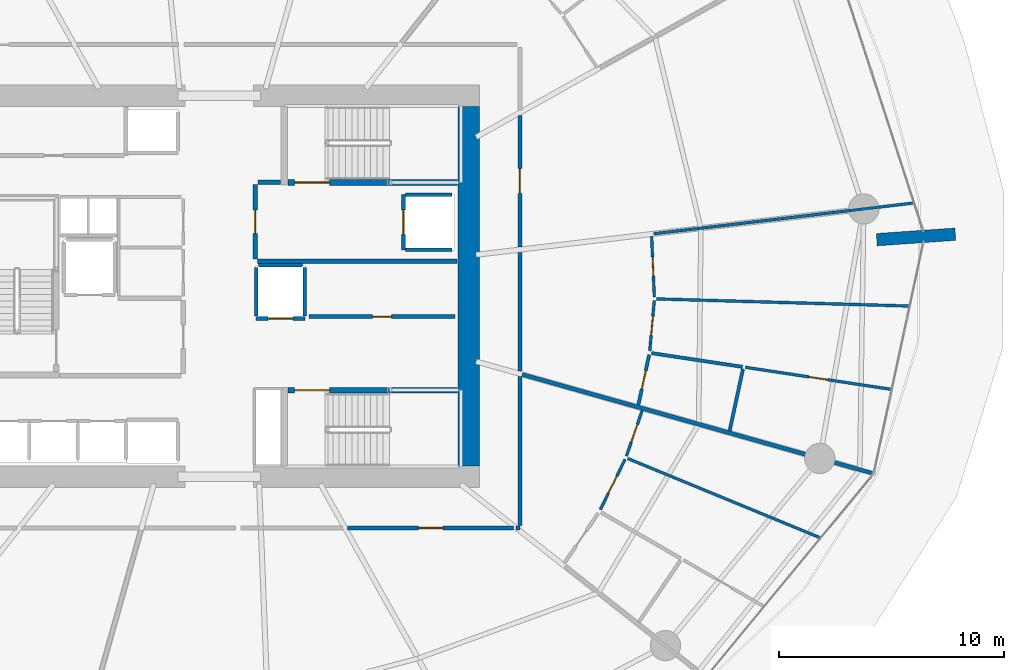
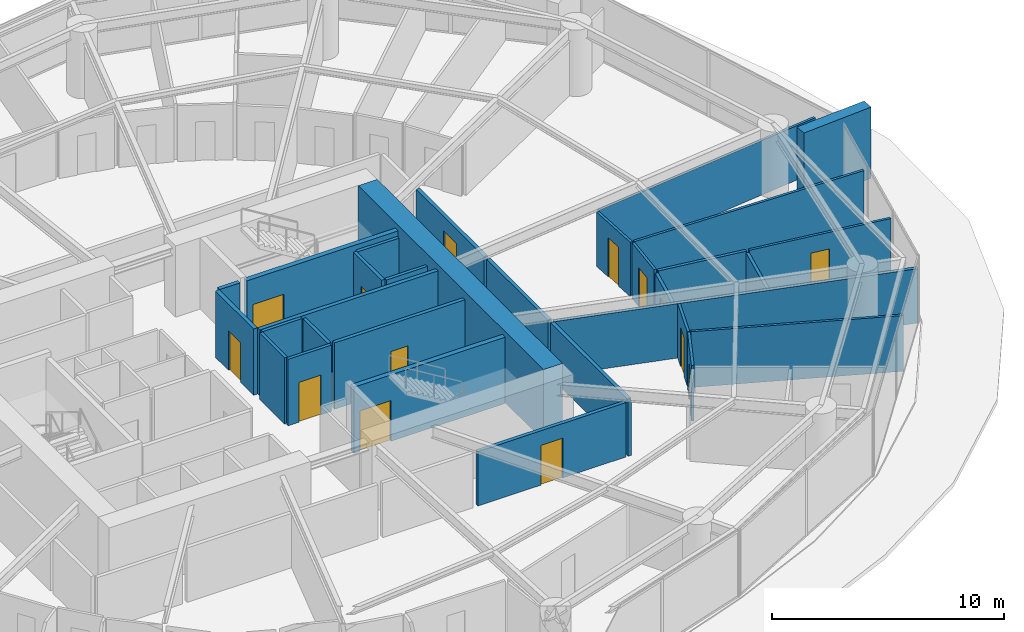
# One storey, part 19 of 22: 32 walls, 14 doors, 14 openings.
"""IFC4 building model written with IfcOpenShell, lengths in metres."""

from ifc_helpers import new_model, si_unit, direction, frame, frame_2d, origin, place, context, subcontext, project, spatial, rectangle, extrude, material, layer, layer_set, type_object, element, fill, save


model = new_model("IFC4")

# Units and contexts
model_context = context("Model", 3, precision=1e-05, world=origin(), true_north=direction((0.0, 1.0)))
body_context = subcontext(model_context, "Body", "Model", "MODEL_VIEW")
ifc_project = project(units=[si_unit("LENGTHUNIT", "METRE"), si_unit("AREAUNIT", "SQUARE_METRE"), si_unit("VOLUMEUNIT", "CUBIC_METRE"), si_unit("PLANEANGLEUNIT", "RADIAN"), si_unit("MASSUNIT", "GRAM", prefix="KILO")], contexts=[model_context])

# Site, building, storey
site_placement = place(None, origin())
site = spatial("IfcSite", under=ifc_project, at=site_placement, CompositionType="ELEMENT")
building_placement = place(site_placement, origin())
building = spatial("IfcBuilding", under=site, at=building_placement, Name="Kazma Halo Residences", CompositionType="ELEMENT")
storey_placement = place(building_placement, frame((0.0, 0.0, 26.39990234375)))
storey = spatial("IfcBuildingStorey", under=building, at=storey_placement, Name="L05", CompositionType="ELEMENT", Elevation=26.39990234375)

# Walls
ifc_material_1 = material(Name="Pale Concrete C60/75", Category="concrete")
ifc_layer_1 = layer(ifc_material_1, 0.550048828125)
ifc_layer_set_1 = layer_set([ifc_layer_1], Name="Pale Concrete C60/75")
wall_type_1 = type_object("IfcWallType", Name="WL-BLADE-550", PredefinedType="SOLIDWALL", material=ifc_layer_set_1)
wall_1_placement = place(storey_placement, frame((77.677978515625, 44.0751953125, 0.0), z_axis=(0.0, 0.0, 1.0), x_axis=(0.997564163539, 0.069754853754, 0.0)))
element("IfcWall", 1, at=wall_1_placement, inside=storey, type_object=wall_type_1, Name="L05 pale concrete structural blade fin wall BW-04", PredefinedType="SOLIDWALL", context=body_context, shape_type="SweptSolid", body=[
    extrude(rectangle(XDim=3.5, YDim=0.550048828125, at=frame_2d((1.75, 0.0))), origin(), (0.0, 0.0, 1.0), 3.75),
])
ifc_material_2 = material(Name="Concrete C80/95", Category="concrete")
ifc_layer_2 = layer(ifc_material_2, 0.949951171875)
ifc_layer_set_2 = layer_set([ifc_layer_2], Name="Concrete C80/95")
wall_type_2 = type_object("IfcWallType", Name="WL-CORE-950", PredefinedType="SHEAR", material=ifc_layer_set_2)
wall_2_placement = place(storey_placement, frame((59.52490234375, 34.0, 0.0), z_axis=(0.0, 0.0, 1.0), x_axis=(0.0, 1.0, 0.0)))
element("IfcWall", 2, at=wall_2_placement, inside=storey, type_object=wall_type_2, Name="L05 central core shear wall E", PredefinedType="SHEAR", context=body_context, shape_type="SweptSolid", body=[
    extrude(rectangle(XDim=16.0, YDim=0.949951171875, at=frame_2d((8.0, 0.0))), origin(), (0.0, 0.0, 1.0), 3.75),
])
ifc_material_3 = material(Name="Acoustic Twin-Stud Gypsum")
ifc_layer_3 = layer(ifc_material_3, 0.179931640625)
ifc_layer_set_3 = layer_set([ifc_layer_3], Name="Acoustic Twin-Stud Gypsum")
wall_type_3 = type_object("IfcWallType", Name="WL-DEM-180", PredefinedType="PARTITIONING", material=ifc_layer_set_3)
wall_3_placement = place(storey_placement, frame((61.906005859375, 38.078125, 0.0), z_axis=(0.0, 0.0, 1.0), x_axis=(0.962456328357, -0.271436578238, 0.0)))
element("IfcWall", 3, at=wall_3_placement, inside=storey, type_object=wall_type_3, Name="L05 apartment demising radial wall 14", PredefinedType="PARTITIONING", context=body_context, shape_type="SweptSolid", body=[
    extrude(rectangle(XDim=16.225830078125, YDim=0.179931640625, at=frame_2d((8.11279296875, 0.0))), origin(), (0.0, 0.0, 1.0), 2.8671875),
])

# Wall, opening, door
wall_4_placement = place(storey_placement, frame((54.140380859375, 31.25, 0.0), z_axis=(0.0, 0.0, 1.0), x_axis=(1.0, 0.0, 0.0)))
wall_4 = element("IfcWall", 4, at=wall_4_placement, inside=storey, type_object=wall_type_3, Name="L05 Apartment 3 entrance corridor wall", PredefinedType="PARTITIONING", context=body_context, shape_type="SweptSolid", body=[
    extrude(rectangle(XDim=7.3759765625, YDim=0.179931640625, at=frame_2d((3.68798828125, 0.0))), origin(), (0.0, 0.0, 1.0), 2.8671875),
])
opening_1_placement = place(wall_4_placement, frame((3.137939453125, 0.0, 0.0)))
opening_1 = element("IfcOpeningElement", 5, at=opening_1_placement, cuts=wall_4, Name="Opening DA-1100", PredefinedType="OPENING", context=body_context, shape_type="SweptSolid", body=[
    extrude(rectangle(XDim=1.10009765625, YDim=2.10009765625, at=frame_2d((0.550048828125, 1.050048828125))), frame((0.0, 0.099853515625, 0.0), z_axis=(0.0, -1.0, 0.0), x_axis=(1.0, 0.0, 0.0)), (0.0, 0.0, 1.0), 0.199951171875),
])
ifc_material_4 = material(Name="Acoustic Walnut Fire Leaf")
door_type_1 = type_object("IfcDoorType", Name="DR-FD60-1100", OperationType="NOTDEFINED", PredefinedType="DOOR", material=ifc_material_4)
door_1_placement = place(opening_1_placement, origin())
door_1 = element("IfcDoor", 6, at=door_1_placement, inside=storey, type_object=door_type_1, Name="L05 Apartment 3 entrance fire door", OperationType="SINGLE_SWING_LEFT", OverallHeight=2.10009765625, OverallWidth=1.10009765625, PredefinedType="DOOR", context=body_context, shape_type="SweptSolid", body=[
    extrude(rectangle(XDim=1.10009765625, YDim=2.10009765625, at=frame_2d((0.550048828125, 1.050048828125))), frame((0.0, 0.02490234375, 0.0), z_axis=(0.0, -1.0, 0.0), x_axis=(1.0, 0.0, 0.0)), (0.0, 0.0, 1.0), 0.050048828125),
])
fill(opening_1, door_1)

# Walls
wall_5_placement = place(storey_placement, frame((61.63623046875, 31.25, 0.0), z_axis=(0.0, 0.0, 1.0), x_axis=(1.0, 0.0, 0.0)))
element("IfcWall", 7, at=wall_5_placement, inside=storey, type_object=wall_type_3, Name="L05 Apartment 3 inner wall 13", PredefinedType="PARTITIONING", context=body_context, shape_type="SweptSolid", body=[
    extrude(rectangle(XDim=0.163818359375, YDim=0.179931640625, at=frame_2d((0.08203125, 0.0))), origin(), (0.0, 0.0, 1.0), 2.8671875),
])
wall_6_placement = place(storey_placement, frame((61.800048828125, 31.3701171875, 0.0), z_axis=(0.0, 0.0, 1.0), x_axis=(0.0, 1.0, 0.0)))
element("IfcWall", 8, at=wall_6_placement, inside=storey, type_object=wall_type_3, Name="L05 Apartment 3 inner wall 13", PredefinedType="PARTITIONING", context=body_context, shape_type="SweptSolid", body=[
    extrude(rectangle(XDim=6.617919921875, YDim=0.179931640625, at=frame_2d((3.30908203125, 0.0))), origin(), (0.0, 0.0, 1.0), 2.8671875),
])

# Wall, opening, door
wall_7_placement = place(storey_placement, frame((61.800048828125, 43.75341796875, 0.0), z_axis=(0.0, 0.0, 1.0), x_axis=(0.0, 1.0, 0.0)))
wall_7 = element("IfcWall", 9, at=wall_7_placement, inside=storey, type_object=wall_type_3, Name="L05 Apartment 4 entrance corridor wall", PredefinedType="PARTITIONING", context=body_context, shape_type="SweptSolid", body=[
    extrude(rectangle(XDim=5.85498046875, YDim=0.179931640625, at=frame_2d((2.927490234375, 0.0))), origin(), (0.0, 0.0, 1.0), 2.8671875),
])
opening_2_placement = place(wall_7_placement, frame((2.377685546875, 0.0, 0.0)))
opening_2 = element("IfcOpeningElement", 10, at=opening_2_placement, cuts=wall_7, Name="Opening DA-1100", PredefinedType="OPENING", context=body_context, shape_type="SweptSolid", body=[
    extrude(rectangle(XDim=1.10009765625, YDim=2.10009765625, at=frame_2d((0.550048828125, 1.050048828125))), frame((0.0, 0.099853515625, 0.0), z_axis=(0.0, -1.0, 0.0), x_axis=(1.0, 0.0, 0.0)), (0.0, 0.0, 1.0), 0.199951171875),
])
door_2_placement = place(opening_2_placement, origin())
door_2 = element("IfcDoor", 11, at=door_2_placement, inside=storey, type_object=door_type_1, Name="L05 Apartment 4 entrance fire door", OperationType="SINGLE_SWING_RIGHT", OverallHeight=2.10009765625, OverallWidth=1.10009765625, PredefinedType="DOOR", context=body_context, shape_type="SweptSolid", body=[
    extrude(rectangle(XDim=1.10009765625, YDim=2.10009765625, at=frame_2d((0.550048828125, 1.050048828125))), frame((0.0, 0.02490234375, 0.0), z_axis=(0.0, -1.0, 0.0), x_axis=(1.0, 0.0, 0.0)), (0.0, 0.0, 1.0), 0.050048828125),
])
fill(opening_2, door_2)

# Wall
wall_8_placement = place(storey_placement, frame((61.800048828125, 38.22802734375, 0.0), z_axis=(0.0, 0.0, 1.0), x_axis=(0.0, 1.0, 0.0)))
element("IfcWall", 12, at=wall_8_placement, inside=storey, type_object=wall_type_3, Name="L05 Apartment 4 inner wall 14", PredefinedType="PARTITIONING", context=body_context, shape_type="SweptSolid", body=[
    extrude(rectangle(XDim=5.28515625, YDim=0.179931640625, at=frame_2d((2.642578125, 0.0))), origin(), (0.0, 0.0, 1.0), 2.8671875),
])

# Wall, opening, door
ifc_material_5 = material(Name="Fire-Rated Blockwork Masonry", Category="masonry")
ifc_layer_4 = layer(ifc_material_5, 0.199951171875)
ifc_layer_set_4 = layer_set([ifc_layer_4], Name="Fire-Rated Blockwork Masonry")
wall_type_4 = type_object("IfcWallType", Name="WL-FLB-200", PredefinedType="PARTITIONING", material=ifc_layer_set_4)
wall_9_placement = place(storey_placement, frame((56.6201171875, 46.080078125, 0.0), z_axis=(0.0, 0.0, 1.0), x_axis=(0.0, -1.0, 0.0)))
wall_9 = element("IfcWall", 13, at=wall_9_placement, inside=storey, type_object=wall_type_4, Name="L05 lift shaft FL-02 front wall", PredefinedType="PARTITIONING", context=body_context, shape_type="SweptSolid", body=[
    extrude(rectangle(XDim=2.4599609375, YDim=0.159912109375, at=frame_2d((1.22998046875, 0.0))), origin(), (0.0, 0.0, 1.0), 3.5),
])
opening_3_placement = place(wall_9_placement, frame((0.679931640625, 0.0, 0.0)))
opening_3 = element("IfcOpeningElement", 14, at=opening_3_placement, cuts=wall_9, Name="Opening LD-FL-02", PredefinedType="OPENING", context=body_context, shape_type="SweptSolid", body=[
    extrude(rectangle(XDim=1.10009765625, YDim=2.10009765625, at=frame_2d((0.550048828125, 1.050048828125))), frame((0.0, 0.08984375, 0.0), z_axis=(0.0, -1.0, 0.0), x_axis=(1.0, 0.0, 0.0)), (0.0, 0.0, 1.0), 0.179931640625),
])
ifc_material_6 = material(Name="Stainless Steel Fire-Rated", Category="steel")
door_type_2 = type_object("IfcDoorType", Name="DR-LIFT-SLD-1100", OperationType="DOUBLE_DOOR_SLIDING", PredefinedType="DOOR", material=ifc_material_6)
door_3_placement = place(opening_3_placement, origin())
door_3 = element("IfcDoor", 15, at=door_3_placement, inside=storey, type_object=door_type_2, Name="L05 lift FL-02 sliding landing door", OperationType="DOUBLE_DOOR_SLIDING", OverallHeight=2.10009765625, OverallWidth=1.10009765625, PredefinedType="DOOR", context=body_context, shape_type="SweptSolid", body=[
    extrude(rectangle(XDim=1.10009765625, YDim=2.10009765625, at=frame_2d((0.550048828125, 1.050048828125))), frame((0.0, 0.02490234375, 0.0), z_axis=(0.0, -1.0, 0.0), x_axis=(1.0, 0.0, 0.0)), (0.0, 0.0, 1.0), 0.050048828125),
])
fill(opening_3, door_3)

# Walls
for number, where, z_axis, x_axis, name in (
    (16, (56.719970703125, 46.080078125, 0.0), (0.0, 0.0, 1.0), (1.0, 0.0, 0.0), "L05 lift shaft FL-02 side wall N"),
    (17, (56.719970703125, 43.6201171875, 0.0), (0.0, 0.0, 1.0), (1.0, 0.0, 0.0), "L05 lift shaft FL-02 side wall S"),
):
    element("IfcWall", number, at=place(storey_placement, frame(where, z_axis=z_axis, x_axis=x_axis)), inside=storey, type_object=wall_type_4, Name=name, PredefinedType="PARTITIONING", context=body_context, shape_type="SweptSolid", body=[
        extrude(rectangle(XDim=2.06005859375, YDim=0.159912109375, at=frame_2d((1.030029296875, 0.0))), origin(), (0.0, 0.0, 1.0), 3.5),
    ])

# Wall, opening, door
wall_10_placement = place(storey_placement, frame((52.22998046875, 40.570068359375, 0.0), z_axis=(0.0, 0.0, 1.0), x_axis=(-1.0, 0.0, 0.0)))
wall_10 = element("IfcWall", 18, at=wall_10_placement, inside=storey, type_object=wall_type_4, Name="L05 lift shaft SV-01 front wall", PredefinedType="PARTITIONING", context=body_context, shape_type="SweptSolid", body=[
    extrude(rectangle(XDim=2.159912109375, YDim=0.159912109375, at=frame_2d((1.080078125, 0.0))), origin(), (0.0, 0.0, 1.0), 3.5),
])
opening_4_placement = place(wall_10_placement, frame((0.530029296875, 0.0, 0.0)))
opening_4 = element("IfcOpeningElement", 19, at=opening_4_placement, cuts=wall_10, Name="Opening LD-SV-01", PredefinedType="OPENING", context=body_context, shape_type="SweptSolid", body=[
    extrude(rectangle(XDim=1.10009765625, YDim=2.10009765625, at=frame_2d((0.550048828125, 1.050048828125))), frame((0.0, 0.08984375, 0.0), z_axis=(0.0, -1.0, 0.0), x_axis=(1.0, 0.0, 0.0)), (0.0, 0.0, 1.0), 0.179931640625),
])
door_4_placement = place(opening_4_placement, origin())
door_4 = element("IfcDoor", 20, at=door_4_placement, inside=storey, type_object=door_type_2, Name="L05 lift SV-01 sliding landing door", OperationType="DOUBLE_DOOR_SLIDING", OverallHeight=2.10009765625, OverallWidth=1.10009765625, PredefinedType="DOOR", context=body_context, shape_type="SweptSolid", body=[
    extrude(rectangle(XDim=1.10009765625, YDim=2.10009765625, at=frame_2d((0.550048828125, 1.050048828125))), frame((0.0, 0.02490234375, 0.0), z_axis=(0.0, -1.0, 0.0), x_axis=(1.0, 0.0, 0.0)), (0.0, 0.0, 1.0), 0.050048828125),
])
fill(opening_4, door_4)

# Walls
for number, where, z_axis, x_axis, name in (
    (21, (52.22998046875, 40.669921875, 0.0), (0.0, 0.0, 1.0), (0.0, 1.0, 0.0), "L05 lift shaft SV-01 side wall E"),
    (22, (50.070068359375, 40.669921875, 0.0), (0.0, 0.0, 1.0), (0.0, 1.0, 0.0), "L05 lift shaft SV-01 side wall W"),
):
    element("IfcWall", number, at=place(storey_placement, frame(where, z_axis=z_axis, x_axis=x_axis)), inside=storey, type_object=wall_type_4, Name=name, PredefinedType="PARTITIONING", context=body_context, shape_type="SweptSolid", body=[
        extrude(rectangle(XDim=2.16015625, YDim=0.159912109375, at=frame_2d((1.080078125, 0.0))), origin(), (0.0, 0.0, 1.0), 3.5),
    ])
wall_11_placement = place(storey_placement, frame((50.169921875, 42.929931640625, 0.0), z_axis=(0.0, 0.0, 1.0), x_axis=(1.0, 0.0, 0.0)))
element("IfcWall", 23, at=wall_11_placement, inside=storey, type_object=wall_type_4, Name="L05 lift shaft SV-01 side wall N", PredefinedType="PARTITIONING", context=body_context, shape_type="SweptSolid", body=[
    extrude(rectangle(XDim=1.9599609375, YDim=0.159912109375, at=frame_2d((0.97998046875, 0.0))), origin(), (0.0, 0.0, 1.0), 3.5),
])

# Wall, opening, door
wall_12_placement = place(storey_placement, frame((52.419921875, 40.64990234375, 0.0), z_axis=(0.0, 0.0, 1.0), x_axis=(1.0, 0.0, 0.0)))
wall_12 = element("IfcWall", 24, at=wall_12_placement, inside=storey, type_object=wall_type_4, Name="L05 core east reserve wall", PredefinedType="PARTITIONING", context=body_context, shape_type="SweptSolid", body=[
    extrude(rectangle(XDim=6.5, YDim=0.179931640625, at=frame_2d((3.25, 0.0))), origin(), (0.0, 0.0, 1.0), 3.5),
])
opening_5_placement = place(wall_12_placement, frame((2.824951171875, 0.0, 0.0)))
opening_5 = element("IfcOpeningElement", 25, at=opening_5_placement, cuts=wall_12, Name="Opening DS-850", PredefinedType="OPENING", context=body_context, shape_type="SweptSolid", body=[
    extrude(rectangle(XDim=0.85009765625, YDim=2.06005859375, at=frame_2d((0.425048828125, 1.030029296875))), frame((0.0, 0.099853515625, 0.0), z_axis=(0.0, -1.0, 0.0), x_axis=(1.0, 0.0, 0.0)), (0.0, 0.0, 1.0), 0.199951171875),
])
ifc_material_7 = material(Name="Painted Steel Access Leaf", Category="steel")
door_type_3 = type_object("IfcDoorType", Name="DR-SVC-850", OperationType="NOTDEFINED", PredefinedType="DOOR", material=ifc_material_7)
door_5_placement = place(opening_5_placement, origin())
door_5 = element("IfcDoor", 26, at=door_5_placement, inside=storey, type_object=door_type_3, Name="L05 core east reserve door", OperationType="SINGLE_SWING_RIGHT", OverallHeight=2.06005859375, OverallWidth=0.85009765625, PredefinedType="DOOR", context=body_context, shape_type="SweptSolid", body=[
    extrude(rectangle(XDim=0.85009765625, YDim=2.06005859375, at=frame_2d((0.425048828125, 1.030029296875))), frame((0.0, 0.02490234375, 0.0), z_axis=(0.0, -1.0, 0.0), x_axis=(1.0, 0.0, 0.0)), (0.0, 0.0, 1.0), 0.050048828125),
])
fill(opening_5, door_5)

# Walls
wall_13_placement = place(storey_placement, frame((50.1201171875, 43.1201171875, 0.0), z_axis=(0.0, 0.0, 1.0), x_axis=(1.0, 0.0, 0.0)))
element("IfcWall", 27, at=wall_13_placement, inside=storey, type_object=wall_type_4, Name="L05 east firefighting lobby south smoke wall", PredefinedType="PARTITIONING", context=body_context, shape_type="SweptSolid", body=[
    extrude(rectangle(XDim=8.8798828125, YDim=0.199951171875, at=frame_2d((4.43994140625, 0.0))), origin(), (0.0, 0.0, 1.0), 3.5),
])
wall_14_placement = place(storey_placement, frame((50.139892578125, 46.6201171875, 0.0), z_axis=(0.0, 0.0, 1.0), x_axis=(1.0, 0.0, 0.0)))
element("IfcWall", 28, at=wall_14_placement, inside=storey, type_object=wall_type_4, Name="L05 east firefighting lobby north closure wall", PredefinedType="PARTITIONING", context=body_context, shape_type="SweptSolid", body=[
    extrude(rectangle(XDim=1.02001953125, YDim=0.199951171875, at=frame_2d((0.510009765625, 0.0))), origin(), (0.0, 0.0, 1.0), 3.5),
])

# Wall, opening, door
wall_15_placement = place(storey_placement, frame((50.02001953125, 43.219970703125, 0.0), z_axis=(0.0, 0.0, 1.0), x_axis=(0.0, 1.0, 0.0)))
wall_15 = element("IfcWall", 29, at=wall_15_placement, inside=storey, type_object=wall_type_4, Name="L05 east firefighting lobby smoke wall", PredefinedType="PARTITIONING", context=body_context, shape_type="SweptSolid", body=[
    extrude(rectangle(XDim=3.300048828125, YDim=0.199951171875, at=frame_2d((1.64990234375, 0.0))), origin(), (0.0, 0.0, 1.0), 3.5),
])
opening_6_placement = place(wall_15_placement, frame((1.125, 0.0, 0.0)))
opening_6 = element("IfcOpeningElement", 30, at=opening_6_placement, cuts=wall_15, Name="Opening D-FLE", PredefinedType="OPENING", context=body_context, shape_type="SweptSolid", body=[
    extrude(rectangle(XDim=1.050048828125, YDim=2.10009765625, at=frame_2d((0.52490234375, 1.050048828125))), frame((0.0, 0.10986328125, 0.0), z_axis=(0.0, -1.0, 0.0), x_axis=(1.0, 0.0, 0.0)), (0.0, 0.0, 1.0), 0.219970703125),
])
ifc_material_8 = material(Name="Fire-Rated Steel Leaf", Category="steel")
door_type_4 = type_object("IfcDoorType", Name="DR-FD90-1050", OperationType="NOTDEFINED", PredefinedType="DOOR", material=ifc_material_8)
door_6_placement = place(opening_6_placement, origin())
door_6 = element("IfcDoor", 31, at=door_6_placement, inside=storey, type_object=door_type_4, Name="L05 east firefighting lobby smoke door", OperationType="SINGLE_SWING_LEFT", OverallHeight=2.10009765625, OverallWidth=1.050048828125, PredefinedType="DOOR", context=body_context, shape_type="SweptSolid", body=[
    extrude(rectangle(XDim=1.050048828125, YDim=2.10009765625, at=frame_2d((0.52490234375, 1.050048828125))), frame((0.0, 0.02490234375, 0.0), z_axis=(0.0, -1.0, 0.0), x_axis=(1.0, 0.0, 0.0)), (0.0, 0.0, 1.0), 0.050048828125),
])
fill(opening_6, door_6)

# Wall
ifc_material_9 = material(Name="Gypsum Plasterboard Partition")
ifc_layer_5 = layer(ifc_material_9, 0.125)
ifc_layer_set_5 = layer_set([ifc_layer_5], Name="Gypsum Plasterboard Partition")
wall_type_5 = type_object("IfcWallType", Name="WL-PART-125", PredefinedType="PARTITIONING", material=ifc_layer_set_5)
wall_16_placement = place(storey_placement, frame((66.59765625, 34.3408203125, 0.0), z_axis=(0.0, 0.0, 1.0), x_axis=(0.924661718137, -0.380789583645, 0.0)))
element("IfcWall", 32, at=wall_16_placement, inside=storey, type_object=wall_type_5, Name="L05 Apartment 3 suite divider 13", PredefinedType="PARTITIONING", context=body_context, shape_type="SweptSolid", body=[
    extrude(rectangle(XDim=9.2607421875, YDim=0.125, at=frame_2d((4.63037109375, 0.0))), origin(), (0.0, 0.0, 1.0), 2.940185546875),
])

# Wall, opening, door
wall_17_placement = place(storey_placement, frame((65.37744140625, 32.064697265625, 0.0), z_axis=(0.0, 0.0, 1.0), x_axis=(0.441490145673, 0.897266098364, 0.0)))
wall_17 = element("IfcWall", 33, at=wall_17_placement, inside=storey, type_object=wall_type_5, Name="L05 Apartment 3 South Private Study hall wall", PredefinedType="PARTITIONING", context=body_context, shape_type="SweptSolid", body=[
    extrude(rectangle(XDim=2.4951171875, YDim=0.125, at=frame_2d((1.24755859375, 0.0))), origin(), (0.0, 0.0, 1.0), 2.940185546875),
])
opening_7_placement = place(wall_17_placement, frame((0.822509765625, 0.0, 0.0)))
opening_7 = element("IfcOpeningElement", 34, at=opening_7_placement, cuts=wall_17, Name="Opening DB-900", PredefinedType="OPENING", context=body_context, shape_type="SweptSolid", body=[
    extrude(rectangle(XDim=0.85009765625, YDim=2.06005859375, at=frame_2d((0.425048828125, 1.030029296875))), frame((0.0, 0.072509765625, 0.0), z_axis=(0.0, -1.0, 0.0), x_axis=(1.0, 0.0, 0.0)), (0.0, 0.0, 1.0), 0.14501953125),
])
ifc_material_10 = material(Name="Moisture-Sealed Timber Leaf", Category="wood")
door_type_5 = type_object("IfcDoorType", Name="DR-BTH-900", OperationType="NOTDEFINED", PredefinedType="DOOR", material=ifc_material_10)
door_7_placement = place(opening_7_placement, origin())
door_7 = element("IfcDoor", 35, at=door_7_placement, inside=storey, type_object=door_type_5, Name="L05 Apartment 3 South Private Study door", OperationType="SINGLE_SWING_LEFT", OverallHeight=2.06005859375, OverallWidth=0.85009765625, PredefinedType="DOOR", context=body_context, shape_type="SweptSolid", body=[
    extrude(rectangle(XDim=0.85009765625, YDim=2.06005859375, at=frame_2d((0.425048828125, 1.030029296875))), frame((0.0, 0.02490234375, 0.0), z_axis=(0.0, -1.0, 0.0), x_axis=(1.0, 0.0, 0.0)), (0.0, 0.0, 1.0), 0.050048828125),
])
fill(opening_7, door_7)

wall_18_placement = place(storey_placement, frame((66.54052734375, 34.45068359375, 0.0), z_axis=(0.0, 0.0, 1.0), x_axis=(0.326627883033, 0.945153017255, 0.0)))
wall_18 = element("IfcWall", 36, at=wall_18_placement, inside=storey, type_object=wall_type_5, Name="L05 Apartment 3 Inner Master Bedroom hall wall", PredefinedType="PARTITIONING", context=body_context, shape_type="SweptSolid", body=[
    extrude(rectangle(XDim=2.136962890625, YDim=0.125, at=frame_2d((1.068359375, 0.0))), origin(), (0.0, 0.0, 1.0), 2.8671875),
])
opening_8_placement = place(wall_18_placement, frame((0.643310546875, 0.0, 0.0)))
opening_8 = element("IfcOpeningElement", 37, at=opening_8_placement, cuts=wall_18, Name="Opening DB-900", PredefinedType="OPENING", context=body_context, shape_type="SweptSolid", body=[
    extrude(rectangle(XDim=0.85009765625, YDim=2.06005859375, at=frame_2d((0.425048828125, 1.030029296875))), frame((0.0, 0.072509765625, 0.0), z_axis=(0.0, -1.0, 0.0), x_axis=(1.0, 0.0, 0.0)), (0.0, 0.0, 1.0), 0.14501953125),
])
door_8_placement = place(opening_8_placement, origin())
door_8 = element("IfcDoor", 38, at=door_8_placement, inside=storey, type_object=door_type_5, Name="L05 Apartment 3 Inner Master Bedroom door", OperationType="SINGLE_SWING_RIGHT", OverallHeight=2.06005859375, OverallWidth=0.85009765625, PredefinedType="DOOR", context=body_context, shape_type="SweptSolid", body=[
    extrude(rectangle(XDim=0.85009765625, YDim=2.06005859375, at=frame_2d((0.425048828125, 1.030029296875))), frame((0.0, 0.02490234375, 0.0), z_axis=(0.0, -1.0, 0.0), x_axis=(1.0, 0.0, 0.0)), (0.0, 0.0, 1.0), 0.050048828125),
])
fill(opening_8, door_8)

# Wall
wall_19_placement = place(storey_placement, frame((67.755126953125, 44.338134765625, 0.0), z_axis=(0.0, 0.0, 1.0), x_axis=(0.993067500076, 0.117545481801, 0.0)))
element("IfcWall", 39, at=wall_19_placement, inside=storey, type_object=wall_type_5, Name="L05 Apartment 4 living radial partition 14", PredefinedType="PARTITIONING", context=body_context, shape_type="SweptSolid", body=[
    extrude(rectangle(XDim=11.645751953125, YDim=0.125, at=frame_2d((5.82275390625, 0.0))), origin(), (0.0, 0.0, 1.0), 2.8671875),
])

# Wall, opening, door
wall_20_placement = place(storey_placement, frame((71.832275390625, 38.397705078125, 0.0), z_axis=(0.0, 0.0, 1.0), x_axis=(0.988773501149, -0.149422098181, 0.0)))
wall_20 = element("IfcWall", 40, at=wall_20_placement, inside=storey, type_object=wall_type_5, Name="L05 Apartment 4 Household Store Room partition wall", PredefinedType="PARTITIONING", context=body_context, shape_type="SweptSolid", body=[
    extrude(rectangle(XDim=6.566650390625, YDim=0.125, at=frame_2d((3.283203125, 0.0))), origin(), (0.0, 0.0, 1.0), 2.940185546875),
])
opening_9_placement = place(wall_20_placement, frame((2.8583984375, 0.0, 0.0)))
opening_9 = element("IfcOpeningElement", 41, at=opening_9_placement, cuts=wall_20, Name="Opening DB-900", PredefinedType="OPENING", context=body_context, shape_type="SweptSolid", body=[
    extrude(rectangle(XDim=0.85009765625, YDim=2.06005859375, at=frame_2d((0.425048828125, 1.030029296875))), frame((0.0, 0.072509765625, 0.0), z_axis=(0.0, -1.0, 0.0), x_axis=(1.0, 0.0, 0.0)), (0.0, 0.0, 1.0), 0.14501953125),
])
door_9_placement = place(opening_9_placement, origin())
door_9 = element("IfcDoor", 42, at=door_9_placement, inside=storey, type_object=door_type_5, Name="L05 Apartment 4 Household Store Room door", OperationType="SINGLE_SWING_LEFT", OverallHeight=2.06005859375, OverallWidth=0.85009765625, PredefinedType="DOOR", context=body_context, shape_type="SweptSolid", body=[
    extrude(rectangle(XDim=0.85009765625, YDim=2.06005859375, at=frame_2d((0.425048828125, 1.030029296875))), frame((0.0, 0.02490234375, 0.0), z_axis=(0.0, -1.0, 0.0), x_axis=(1.0, 0.0, 0.0)), (0.0, 0.0, 1.0), 0.050048828125),
])
fill(opening_9, door_9)

# Wall
wall_21_placement = place(storey_placement, frame((67.875244140625, 41.440185546875, 0.0), z_axis=(0.0, 0.0, 1.0), x_axis=(0.999604383534, -0.028126080787, 0.0)))
element("IfcWall", 43, at=wall_21_placement, inside=storey, type_object=wall_type_5, Name="L05 Apartment 4 suite divider 14", PredefinedType="PARTITIONING", context=body_context, shape_type="SweptSolid", body=[
    extrude(rectangle(XDim=11.24951171875, YDim=0.125, at=frame_2d((5.624755859375, 0.0))), origin(), (0.0, 0.0, 1.0), 2.940185546875),
])

# Wall, opening, door
wall_22_placement = place(storey_placement, frame((67.57861328125, 39.131591796875, 0.0), z_axis=(0.0, 0.0, 1.0), x_axis=(0.089032328007, 0.996028736819, 0.0)))
wall_22 = element("IfcWall", 44, at=wall_22_placement, inside=storey, type_object=wall_type_5, Name="L05 Apartment 4 Gourmet Kitchen hall wall", PredefinedType="PARTITIONING", context=body_context, shape_type="SweptSolid", body=[
    extrude(rectangle(XDim=2.240234375, YDim=0.125, at=frame_2d((1.1201171875, 0.0))), origin(), (0.0, 0.0, 1.0), 2.940185546875),
])
opening_10_placement = place(wall_22_placement, frame((0.6953125, 0.0, 0.0)))
opening_10 = element("IfcOpeningElement", 45, at=opening_10_placement, cuts=wall_22, Name="Opening DB-900", PredefinedType="OPENING", context=body_context, shape_type="SweptSolid", body=[
    extrude(rectangle(XDim=0.85009765625, YDim=2.06005859375, at=frame_2d((0.425048828125, 1.030029296875))), frame((0.0, 0.072509765625, 0.0), z_axis=(0.0, -1.0, 0.0), x_axis=(1.0, 0.0, 0.0)), (0.0, 0.0, 1.0), 0.14501953125),
])
door_10_placement = place(opening_10_placement, origin())
door_10 = element("IfcDoor", 46, at=door_10_placement, inside=storey, type_object=door_type_5, Name="L05 Apartment 4 Gourmet Kitchen door", OperationType="SINGLE_SWING_RIGHT", OverallHeight=2.06005859375, OverallWidth=0.85009765625, PredefinedType="DOOR", context=body_context, shape_type="SweptSolid", body=[
    extrude(rectangle(XDim=0.85009765625, YDim=2.06005859375, at=frame_2d((0.425048828125, 1.030029296875))), frame((0.0, 0.02490234375, 0.0), z_axis=(0.0, -1.0, 0.0), x_axis=(1.0, 0.0, 0.0)), (0.0, 0.0, 1.0), 0.050048828125),
])
fill(opening_10, door_10)

wall_23_placement = place(storey_placement, frame((67.781494140625, 41.522705078125, 0.0), z_axis=(0.0, 0.0, 1.0), x_axis=(-0.044740706283, 0.998998633233, 0.0)))
wall_23 = element("IfcWall", 47, at=wall_23_placement, inside=storey, type_object=wall_type_5, Name="L05 Apartment 4 Master Bedroom hall wall", PredefinedType="PARTITIONING", context=body_context, shape_type="SweptSolid", body=[
    extrude(rectangle(XDim=2.70654296875, YDim=0.125, at=frame_2d((1.353271484375, 0.0))), origin(), (0.0, 0.0, 1.0), 2.8671875),
])
opening_11_placement = place(wall_23_placement, frame((0.92822265625, 0.0, 0.0)))
opening_11 = element("IfcOpeningElement", 48, at=opening_11_placement, cuts=wall_23, Name="Opening DB-900", PredefinedType="OPENING", context=body_context, shape_type="SweptSolid", body=[
    extrude(rectangle(XDim=0.85009765625, YDim=2.06005859375, at=frame_2d((0.425048828125, 1.030029296875))), frame((0.0, 0.072509765625, 0.0), z_axis=(0.0, -1.0, 0.0), x_axis=(1.0, 0.0, 0.0)), (0.0, 0.0, 1.0), 0.14501953125),
])
door_11_placement = place(opening_11_placement, origin())
door_11 = element("IfcDoor", 49, at=door_11_placement, inside=storey, type_object=door_type_5, Name="L05 Apartment 4 Master Bedroom door", OperationType="SINGLE_SWING_LEFT", OverallHeight=2.06005859375, OverallWidth=0.85009765625, PredefinedType="DOOR", context=body_context, shape_type="SweptSolid", body=[
    extrude(rectangle(XDim=0.85009765625, YDim=2.06005859375, at=frame_2d((0.425048828125, 1.030029296875))), frame((0.0, 0.02490234375, 0.0), z_axis=(0.0, -1.0, 0.0), x_axis=(1.0, 0.0, 0.0)), (0.0, 0.0, 1.0), 0.050048828125),
])
fill(opening_11, door_11)

ifc_material_11 = material(Name="Concrete C50/60", Category="concrete")
ifc_layer_6 = layer(ifc_material_11, 0.25)
ifc_layer_set_6 = layer_set([ifc_layer_6], Name="Concrete C50/60")
wall_type_6 = type_object("IfcWallType", Name="WL-SHF-250", PredefinedType="SOLIDWALL", material=ifc_layer_set_6)
wall_24_placement = place(storey_placement, frame((51.47998046875, 46.6201171875, 0.0), z_axis=(0.0, 0.0, 1.0), x_axis=(1.0, 0.0, 0.0)))
wall_24 = element("IfcWall", 50, at=wall_24_placement, inside=storey, type_object=wall_type_6, Name="L05 exit stair ST-02 enclosure wall", PredefinedType="SOLIDWALL", context=body_context, shape_type="SweptSolid", body=[
    extrude(rectangle(XDim=7.5400390625, YDim=0.25, at=frame_2d((3.77001953125, 0.0))), origin(), (0.0, 0.0, 1.0), 3.5),
])
opening_12_placement = place(wall_24_placement, frame((0.300048828125, 0.0, 0.0)))
opening_12 = element("IfcOpeningElement", 51, at=opening_12_placement, cuts=wall_24, Name="Opening D-ST2", PredefinedType="OPENING", context=body_context, shape_type="SweptSolid", body=[
    extrude(rectangle(XDim=1.550048828125, YDim=2.14990234375, at=frame_2d((0.77490234375, 1.074951171875))), frame((0.0, 0.135009765625, 0.0), z_axis=(0.0, -1.0, 0.0), x_axis=(1.0, 0.0, 0.0)), (0.0, 0.0, 1.0), 0.27001953125),
])
ifc_material_12 = material(Name="Fire-Rated Double Steel Leaf", Category="steel")
door_type_6 = type_object("IfcDoorType", Name="DR-FD90-1550", OperationType="NOTDEFINED", PredefinedType="DOOR", material=ifc_material_12)
door_12_placement = place(opening_12_placement, origin())
door_12 = element("IfcDoor", 52, at=door_12_placement, inside=storey, type_object=door_type_6, Name="L05 exit stair ST-02 fire door", OperationType="DOUBLE_DOOR_SINGLE_SWING", OverallHeight=2.14990234375, OverallWidth=1.550048828125, PredefinedType="DOOR", context=body_context, shape_type="SweptSolid", body=[
    extrude(rectangle(XDim=1.550048828125, YDim=2.14990234375, at=frame_2d((0.77490234375, 1.074951171875))), frame((0.0, 0.02490234375, 0.0), z_axis=(0.0, -1.0, 0.0), x_axis=(1.0, 0.0, 0.0)), (0.0, 0.0, 1.0), 0.050048828125),
])
fill(opening_12, door_12)

wall_25_placement = place(storey_placement, frame((51.47998046875, 37.3798828125, 0.0), z_axis=(0.0, 0.0, 1.0), x_axis=(1.0, 0.0, 0.0)))
wall_25 = element("IfcWall", 53, at=wall_25_placement, inside=storey, type_object=wall_type_6, Name="L05 exit stair ST-03 enclosure wall", PredefinedType="SOLIDWALL", context=body_context, shape_type="SweptSolid", body=[
    extrude(rectangle(XDim=7.5400390625, YDim=0.25, at=frame_2d((3.77001953125, 0.0))), origin(), (0.0, 0.0, 1.0), 3.5),
])
opening_13_placement = place(wall_25_placement, frame((0.300048828125, 0.0, 0.0)))
opening_13 = element("IfcOpeningElement", 54, at=opening_13_placement, cuts=wall_25, Name="Opening D-ST3", PredefinedType="OPENING", context=body_context, shape_type="SweptSolid", body=[
    extrude(rectangle(XDim=1.550048828125, YDim=2.14990234375, at=frame_2d((0.77490234375, 1.074951171875))), frame((0.0, 0.135009765625, 0.0), z_axis=(0.0, -1.0, 0.0), x_axis=(1.0, 0.0, 0.0)), (0.0, 0.0, 1.0), 0.27001953125),
])
door_13_placement = place(opening_13_placement, origin())
door_13 = element("IfcDoor", 55, at=door_13_placement, inside=storey, type_object=door_type_6, Name="L05 exit stair ST-03 fire door", OperationType="DOUBLE_DOOR_SINGLE_SWING", OverallHeight=2.14990234375, OverallWidth=1.550048828125, PredefinedType="DOOR", context=body_context, shape_type="SweptSolid", body=[
    extrude(rectangle(XDim=1.550048828125, YDim=2.14990234375, at=frame_2d((0.77490234375, 1.074951171875))), frame((0.0, 0.02490234375, 0.0), z_axis=(0.0, -1.0, 0.0), x_axis=(1.0, 0.0, 0.0)), (0.0, 0.0, 1.0), 0.050048828125),
])
fill(opening_13, door_13)

ifc_material_13 = material(Name="Moisture-Resistant Gypsum")
ifc_layer_7 = layer(ifc_material_13, 0.14990234375)
ifc_layer_set_7 = layer_set([ifc_layer_7], Name="Moisture-Resistant Gypsum")
wall_type_7 = type_object("IfcWallType", Name="WL-WET-150", PredefinedType="PARTITIONING", material=ifc_layer_set_7)
wall_26_placement = place(storey_placement, frame((67.071044921875, 36.72509765625, 0.0), z_axis=(0.0, 0.0, 1.0), x_axis=(0.210815805763, 0.977525803261, 0.0)))
wall_26 = element("IfcWall", 56, at=wall_26_placement, inside=storey, type_object=wall_type_7, Name="L05 Apartment 4 Guest Bathroom hall wall", PredefinedType="PARTITIONING", context=body_context, shape_type="SweptSolid", body=[
    extrude(rectangle(XDim=2.2802734375, YDim=0.14990234375, at=frame_2d((1.14013671875, 0.0))), origin(), (0.0, 0.0, 1.0), 2.8671875),
])
opening_14_placement = place(wall_26_placement, frame((0.715087890625, 0.0, 0.0)))
opening_14 = element("IfcOpeningElement", 57, at=opening_14_placement, cuts=wall_26, Name="Opening DB-900", PredefinedType="OPENING", context=body_context, shape_type="SweptSolid", body=[
    extrude(rectangle(XDim=0.85009765625, YDim=2.06005859375, at=frame_2d((0.425048828125, 1.030029296875))), frame((0.0, 0.0849609375, 0.0), z_axis=(0.0, -1.0, 0.0), x_axis=(1.0, 0.0, 0.0)), (0.0, 0.0, 1.0), 0.169921875),
])
door_14_placement = place(opening_14_placement, origin())
door_14 = element("IfcDoor", 58, at=door_14_placement, inside=storey, type_object=door_type_5, Name="L05 Apartment 4 Guest Bathroom door", OperationType="SINGLE_SWING_RIGHT", OverallHeight=2.06005859375, OverallWidth=0.85009765625, PredefinedType="DOOR", context=body_context, shape_type="SweptSolid", body=[
    extrude(rectangle(XDim=0.85009765625, YDim=2.06005859375, at=frame_2d((0.425048828125, 1.030029296875))), frame((0.0, 0.02490234375, 0.0), z_axis=(0.0, -1.0, 0.0), x_axis=(1.0, 0.0, 0.0)), (0.0, 0.0, 1.0), 0.050048828125),
])
fill(opening_14, door_14)

# Walls
wall_27_placement = place(storey_placement, frame((71.132568359375, 35.57958984375, 0.0), z_axis=(0.0, 0.0, 1.0), x_axis=(0.21084765068, 0.977518934959, 0.0)))
element("IfcWall", 59, at=wall_27_placement, inside=storey, type_object=wall_type_7, Name="L05 Apartment 4 Guest Bathroom back wall", PredefinedType="PARTITIONING", context=body_context, shape_type="SweptSolid", body=[
    extrude(rectangle(XDim=2.806640625, YDim=0.14990234375, at=frame_2d((1.4033203125, 0.0))), origin(), (0.0, 0.0, 1.0), 2.8671875),
])
wall_28_placement = place(storey_placement, frame((67.65966796875, 39.028564453125, 0.0), z_axis=(0.0, 0.0, 1.0), x_axis=(0.988765818212, -0.149472929776, 0.0)))
element("IfcWall", 60, at=wall_28_placement, inside=storey, type_object=wall_type_7, Name="L05 Apartment 4 Guest Bathroom side wall", PredefinedType="PARTITIONING", context=body_context, shape_type="SweptSolid", body=[
    extrude(rectangle(XDim=4.08984375, YDim=0.14990234375, at=frame_2d((2.044921875, 0.0))), origin(), (0.0, 0.0, 1.0), 2.940185546875),
])

save(model, "model.ifc")
